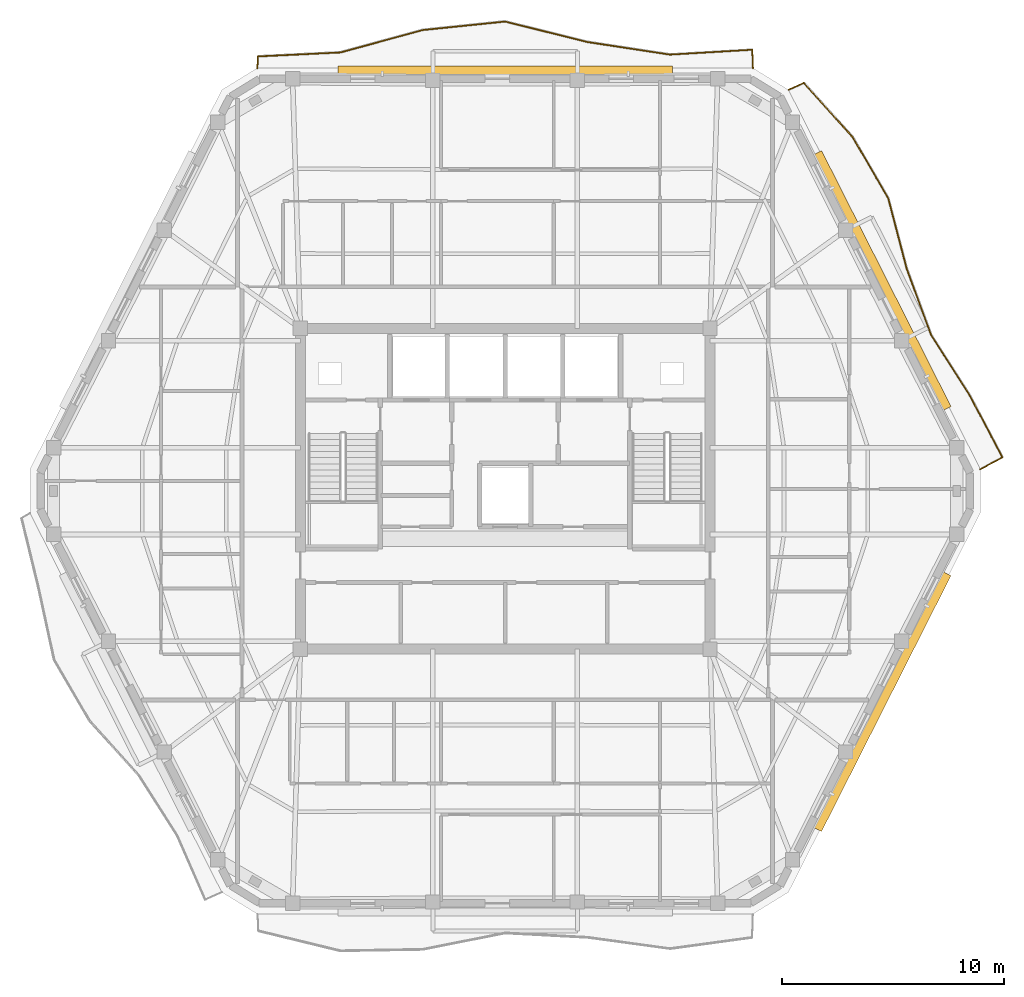
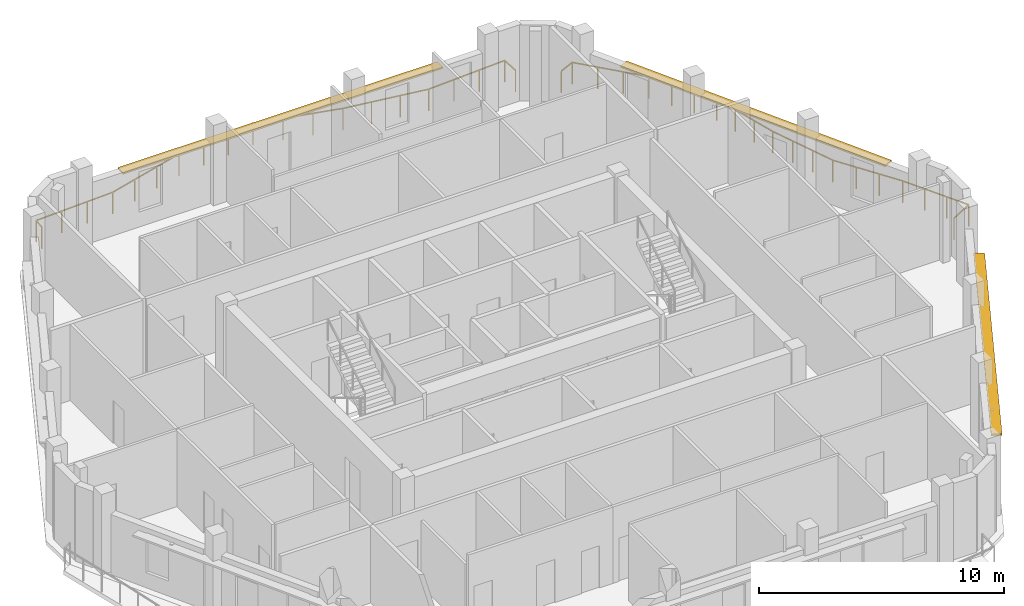
# One storey, part 11 of 11: 3 shading devices, 2 railings.
"""IFC4 building model written with IfcOpenShell, lengths in metres."""

import ifcopenshell
import ifcopenshell.guid

model = None  # the IFC model being written
_history = None  # IfcOwnerHistory: only IFC2X3 demands one
_inside = {}  # id of a spatial element -> (the spatial element, [elements in it])
_under = {}  # id of a project, library or spatial element -> (it, [spatial elements below it])
_declared = {}  # id of a project -> (the project, [libraries it declares])
_typed = {}  # id of a type object -> (the type object, [elements of that type])
_made_of = {}  # id of a material, layer set ... -> (it, [elements and type objects made of it])


def new_model(schema):
    """Start an empty IFC model of exactly this schema.

    Asked for "IFC4X3", IfcOpenShell would pick the latest addendum, in which some entities
    have other attributes; the version numbers below select the first issue.
    IFC2X3 requires an IfcOwnerHistory on every rooted entity: one is made here for all.
    """
    global model, _history
    if schema == "IFC4X3":
        model = ifcopenshell.file(schema_version=(4, 3, 0, 0))
    else:
        model = ifcopenshell.file(schema=schema)
    _inside.clear()
    _under.clear()
    _declared.clear()
    _typed.clear()
    _made_of.clear()
    _history = None
    if model.schema == "IFC2X3":
        org = make("IfcOrganization", Name="unknown")
        user = make(
            "IfcPersonAndOrganization",
            ThePerson=make("IfcPerson", FamilyName="unknown"),
            TheOrganization=org,
        )
        app = make(
            "IfcApplication",
            ApplicationDeveloper=org,
            Version="unknown",
            ApplicationFullName="unknown",
            ApplicationIdentifier="unknown",
        )
        _history = make(
            "IfcOwnerHistory",
            OwningUser=user,
            OwningApplication=app,
            ChangeAction="ADDED",
            CreationDate=0,
        )
    return model


def make(cls, **values):
    """One entity of the class cls with the attributes given. An attribute that is None is left unset."""
    return model.create_entity(
        cls, **{name: value for name, value in values.items() if value is not None}
    )


def rooted(cls, **values):
    """An entity with a GlobalId (a new one), such as an element, a storey or a relation."""
    return make(cls, GlobalId=ifcopenshell.guid.new(), OwnerHistory=_history, **values)


def si_unit(unit_type, name, prefix=None):
    """IfcSIUnit, for example si_unit("LENGTHUNIT", "METRE", prefix="MILLI")."""
    return make("IfcSIUnit", UnitType=unit_type, Prefix=prefix, Name=name)


def assignment(units):
    """IfcUnitAssignment: the units of a project."""
    return None if units is None else make("IfcUnitAssignment", Units=units)


def point(xyz):
    """IfcCartesianPoint."""
    return None if xyz is None else make("IfcCartesianPoint", Coordinates=xyz)


def direction(xyz):
    """IfcDirection."""
    return None if xyz is None else make("IfcDirection", DirectionRatios=xyz)


def frame(location, z_axis=None, x_axis=None):
    """IfcAxis2Placement3D, a coordinate frame: its origin and axes. An axis left out is left unset."""
    return make(
        "IfcAxis2Placement3D",
        Location=point(location),
        Axis=direction(z_axis),
        RefDirection=direction(x_axis),
    )


def frame_2d(location, x_axis=None):
    """IfcAxis2Placement2D, a coordinate frame in the plane: its origin and x axis."""
    return make(
        "IfcAxis2Placement2D", Location=point(location), RefDirection=direction(x_axis)
    )


def origin():
    """The frame at (0, 0, 0) with its axes left unset."""
    return frame((0.0, 0.0, 0.0))


def origin_2d():
    """The frame at (0, 0) in the plane with its x axis left unset."""
    return frame_2d((0.0, 0.0))


def place(relative_to, where):
    """IfcLocalPlacement: puts the frame where relative to a parent placement (None: the world)."""
    return make(
        "IfcLocalPlacement", PlacementRelTo=relative_to, RelativePlacement=where
    )


def context(
    kind, dimensions, precision=None, world=None, true_north=None, identifier=None
):
    """IfcGeometricRepresentationContext, for example the 3D "Model" context."""
    return make(
        "IfcGeometricRepresentationContext",
        ContextIdentifier=identifier,
        ContextType=kind,
        CoordinateSpaceDimension=dimensions,
        Precision=precision,
        WorldCoordinateSystem=world,
        TrueNorth=true_north,
    )


def subcontext(parent, identifier, kind, view, scale=None):
    """IfcGeometricRepresentationSubContext, for example "Body" below "Model"."""
    return make(
        "IfcGeometricRepresentationSubContext",
        ContextIdentifier=identifier,
        ContextType=kind,
        ParentContext=parent,
        TargetScale=scale,
        TargetView=view,
    )


def project(units=None, contexts=None):
    """IfcProject with its units and contexts."""
    return rooted(
        "IfcProject",
        Name="project",
        RepresentationContexts=contexts,
        UnitsInContext=assignment(units),
    )


def spatial(cls, under=None, at=None, **own):
    """A site, building, storey or space (cls), placed at a placement, below another one or the project."""
    s = rooted(cls, ObjectPlacement=at, **own)
    if under is not None:
        _under.setdefault(under.id(), (under, []))[1].append(s)
    return s


def profile(cls, at=None, kind="AREA", **sizes):
    """A parametric profile (cls). Its sizes go by their IFC names, for example OverallWidth=200.0."""
    return make(cls, ProfileType=kind, Position=at, **sizes)


def rectangle(**sizes):
    """IfcRectangleProfileDef."""
    return profile("IfcRectangleProfileDef", **sizes)


def extrude(swept, where, along, depth):
    """IfcExtrudedAreaSolid: the profile swept, set in the frame where, extruded along a direction by depth."""
    return make(
        "IfcExtrudedAreaSolid",
        SweptArea=swept,
        Position=where,
        ExtrudedDirection=direction(along),
        Depth=depth,
    )


def shape(context_of_items, identifier, shape_type, items):
    """IfcShapeRepresentation: the items that make up one representation, for example the "Body"."""
    return make(
        "IfcShapeRepresentation",
        ContextOfItems=context_of_items,
        RepresentationIdentifier=identifier,
        RepresentationType=shape_type,
        Items=items,
    )


def material(Name=None, Category=None):
    """IfcMaterial."""
    return make("IfcMaterial", Name=Name, Category=Category)


def layer(
    of_material, thickness, ventilated=None, Name=None, Category=None, Priority=None
):
    """IfcMaterialLayer: one layer of a wall or slab, of a material (None: an air gap)."""
    return make(
        "IfcMaterialLayer",
        Material=of_material,
        LayerThickness=thickness,
        IsVentilated=ventilated,
        Name=Name,
        Category=Category,
        Priority=Priority,
    )


def layer_set(layers, Name=None):
    """IfcMaterialLayerSet."""
    return make("IfcMaterialLayerSet", MaterialLayers=layers, LayerSetName=Name)


def made_of(thing, what):
    """Note that an element or type object is made of a material, layer set ...; save() writes the relation."""
    if what is not None:
        _made_of.setdefault(what.id(), (what, []))[1].append(thing)
    return thing


def type_object(cls, material=None, **own):
    """A type object (cls), such as IfcWallType, which elements share."""
    return made_of(rooted(cls, **own), material)


def element(
    cls,
    number,
    at=None,
    inside=None,
    cuts=None,
    type_object=None,
    material=None,
    context=None,
    identifier="Body",
    shape_type=None,
    held_by="IfcProductDefinitionShape",
    body=None,
    shapes=None,
    **own,
):
    """One element of the class cls, such as IfcWall. Its Tag is "e" and its number.

    at: its placement. inside: the storey or other place that contains it. cuts: it is an
    opening in that element (IfcRelVoidsElement). A single representation is given by context,
    identifier, shape_type and body (its items); several are given by shapes. held_by: the class
    of the entity that holds the representations. save() writes the other relations.
    """
    e = rooted(cls, Tag="e%d" % number, ObjectPlacement=at, **own)
    if body is not None:
        shapes = [shape(context, identifier, shape_type, body)]
    if shapes is not None:
        e.Representation = make(held_by, Representations=shapes)
    if inside is not None:
        _inside.setdefault(inside.id(), (inside, []))[1].append(e)
    if cuts is not None:
        rooted(
            "IfcRelVoidsElement", RelatingBuildingElement=cuts, RelatedOpeningElement=e
        )
    if type_object is not None:
        _typed.setdefault(type_object.id(), (type_object, []))[1].append(e)
    return made_of(e, material)


def aggregate(whole, parts):
    """IfcRelAggregates: a whole, such as a stair, and the parts it consists of."""
    return rooted("IfcRelAggregates", RelatingObject=whole, RelatedObjects=parts)


def save(model, path):
    """Write the relations noted so far, then the file.

    IfcRelAggregates (storeys below a building ...), IfcRelContainedInSpatialStructure (elements
    in a storey), IfcRelDefinesByType, IfcRelAssociatesMaterial and IfcRelDeclares: one each for
    every whole, place, type object, material and project.
    """
    for whole, parts in _under.values():
        aggregate(whole, parts)
    for where, things in _inside.values():
        rooted(
            "IfcRelContainedInSpatialStructure",
            RelatedElements=things,
            RelatingStructure=where,
        )
    for kind, things in _typed.values():
        rooted("IfcRelDefinesByType", RelatedObjects=things, RelatingType=kind)
    for what, things in _made_of.values():
        rooted("IfcRelAssociatesMaterial", RelatedObjects=things, RelatingMaterial=what)
    for by, libraries in _declared.values():
        rooted("IfcRelDeclares", RelatingContext=by, RelatedDefinitions=libraries)
    model.write(path)


model = new_model("IFC4")

# Units and contexts
model_context = context("Model", 3, precision=1e-05, world=origin(), true_north=direction((0.0, 1.0)))
body_context = subcontext(model_context, "Body", "Model", "MODEL_VIEW")
ifc_project = project(units=[si_unit("LENGTHUNIT", "METRE"), si_unit("AREAUNIT", "SQUARE_METRE"), si_unit("VOLUMEUNIT", "CUBIC_METRE"), si_unit("PLANEANGLEUNIT", "RADIAN"), si_unit("MASSUNIT", "GRAM", prefix="KILO")], contexts=[model_context])

# Site, building, storey
site_placement = place(None, origin())
site = spatial("IfcSite", under=ifc_project, at=site_placement, CompositionType="ELEMENT")
building_placement = place(site_placement, origin())
building = spatial("IfcBuilding", under=site, at=building_placement, Name="Cinnabar Lancet Tower", CompositionType="ELEMENT")
storey_placement = place(building_placement, frame((0.0, 0.0, 291.5)))
storey = spatial("IfcBuildingStorey", under=building, at=storey_placement, Name="L77", CompositionType="ELEMENT", Elevation=291.5)

# Railings
ifc_material_1 = material(Name="Laminated safety glass and bronze stainless steel balustrade", Category="steel")
railing_type = type_object("IfcRailingType", Name="ENV-RLG-BAL-1100", PredefinedType="BALUSTRADE", material=ifc_material_1)
railing_1_placement = place(storey_placement, frame((53.802978515625, 26.781982421875, 0.0)))
element("IfcRailing", 1, at=railing_1_placement, inside=storey, type_object=railing_type, Name="L77 Face 3 Wave Balcony Balustrade", PredefinedType="BALUSTRADE", context=body_context, shape_type="SweptSolid", body=[
    extrude(rectangle(XDim=0.048095703125, YDim=0.048095703125, at=origin_2d()), frame((0.0, 0.0, 1.076171875), z_axis=(0.881338355054, 0.472485665296, 0.0), x_axis=(-0.472485665296, 0.881338355054, 0.0)), (0.0, 0.0, 1.0), 1.1279296875),
    extrude(rectangle(XDim=0.048095703125, YDim=0.048095703125, at=origin_2d()), frame((0.994140625, 0.532958984375, 1.076171875), z_axis=(-0.467101802488, 0.884203543373, 0.0), x_axis=(-0.884203543373, -0.467101802488, 0.0)), (0.0, 0.0, 1.0), 3.18359375),
    extrude(rectangle(XDim=0.048095703125, YDim=0.048095703125, at=origin_2d()), frame((-0.492919921875, 3.347900390625, 1.076171875), z_axis=(-0.540097565332, 0.841602412023, 0.0), x_axis=(-0.841602412023, -0.540097565332, 0.0)), (0.0, 0.0, 1.0), 3.19775390625),
    extrude(rectangle(XDim=0.048095703125, YDim=0.048095703125, at=origin_2d()), frame((-2.219970703125, 6.0390625, 1.076171875), z_axis=(-0.344227760857, 0.938886174494, 0.0), x_axis=(-0.938886174494, -0.344227760857, 0.0)), (0.0, 0.0, 1.0), 3.201416015625),
    extrude(rectangle(XDim=0.048095703125, YDim=0.048095703125, at=origin_2d()), frame((-3.322021484375, 9.044921875, 1.076171875), z_axis=(-0.253407849779, 0.967359530718, 0.0), x_axis=(-0.967359530718, -0.253407849779, 0.0)), (0.0, 0.0, 1.0), 3.25537109375),
    extrude(rectangle(XDim=0.048095703125, YDim=0.048095703125, at=origin_2d()), frame((-4.14697265625, 12.194091796875, 1.076171875), z_axis=(-0.502612464868, 0.864511833441, 0.0), x_axis=(-0.864511833441, -0.502612464868, 0.0)), (0.0, 0.0, 1.0), 3.185546875),
    extrude(rectangle(XDim=0.048095703125, YDim=0.048095703125, at=origin_2d()), frame((-5.748046875, 14.947998046875, 1.076171875), z_axis=(-0.66947579096, 0.742833874644, 0.0), x_axis=(-0.742833874644, -0.66947579096, 0.0)), (0.0, 0.0, 1.0), 3.298095703125),
    extrude(rectangle(XDim=0.048095703125, YDim=0.048095703125, at=origin_2d()), frame((-7.9560546875, 17.39794921875, 1.076171875), z_axis=(-0.910277705224, -0.413998187643, 0.0), x_axis=(0.413998187643, -0.910277705224, 0.0)), (0.0, 0.0, 1.0), 0.753662109375),
    extrude(rectangle(XDim=0.0419921875, YDim=0.0419921875, at=origin_2d()), origin(), (0.0, 0.0, 1.0), 1.052001953125),
    extrude(rectangle(XDim=0.0419921875, YDim=0.0419921875, at=origin_2d()), frame((0.994140625, 0.532958984375, 0.0)), (0.0, 0.0, 1.0), 1.052001953125),
    extrude(rectangle(XDim=0.0419921875, YDim=0.0419921875, at=origin_2d()), frame((0.49853515625, 1.47119140625, 0.0)), (0.0, 0.0, 1.0), 1.052001953125),
    extrude(rectangle(XDim=0.0419921875, YDim=0.0419921875, at=origin_2d()), frame((0.002685546875, 2.40966796875, 0.0)), (0.0, 0.0, 1.0), 1.052001953125),
    extrude(rectangle(XDim=0.0419921875, YDim=0.0419921875, at=origin_2d()), frame((-0.492919921875, 3.347900390625, 0.0)), (0.0, 0.0, 1.0), 1.052001953125),
    extrude(rectangle(XDim=0.0419921875, YDim=0.0419921875, at=origin_2d()), frame((-1.068603515625, 4.244873046875, 0.0)), (0.0, 0.0, 1.0), 1.052001953125),
    extrude(rectangle(XDim=0.0419921875, YDim=0.0419921875, at=origin_2d()), frame((-1.644287109375, 5.14208984375, 0.0)), (0.0, 0.0, 1.0), 1.052001953125),
    extrude(rectangle(XDim=0.0419921875, YDim=0.0419921875, at=origin_2d()), frame((-2.219970703125, 6.0390625, 0.0)), (0.0, 0.0, 1.0), 1.052001953125),
    extrude(rectangle(XDim=0.0419921875, YDim=0.0419921875, at=origin_2d()), frame((-2.58740234375, 7.041015625, 0.0)), (0.0, 0.0, 1.0), 1.052001953125),
    extrude(rectangle(XDim=0.0419921875, YDim=0.0419921875, at=origin_2d()), frame((-2.95458984375, 8.04296875, 0.0)), (0.0, 0.0, 1.0), 1.052001953125),
    extrude(rectangle(XDim=0.0419921875, YDim=0.0419921875, at=origin_2d()), frame((-3.322021484375, 9.044921875, 0.0)), (0.0, 0.0, 1.0), 1.052001953125),
    extrude(rectangle(XDim=0.0419921875, YDim=0.0419921875, at=origin_2d()), frame((-3.596923828125, 10.0947265625, 0.0)), (0.0, 0.0, 1.0), 1.052001953125),
    extrude(rectangle(XDim=0.0419921875, YDim=0.0419921875, at=origin_2d()), frame((-3.8720703125, 11.144287109375, 0.0)), (0.0, 0.0, 1.0), 1.052001953125),
    extrude(rectangle(XDim=0.0419921875, YDim=0.0419921875, at=origin_2d()), frame((-4.14697265625, 12.194091796875, 0.0)), (0.0, 0.0, 1.0), 1.052001953125),
    extrude(rectangle(XDim=0.0419921875, YDim=0.0419921875, at=origin_2d()), frame((-4.6806640625, 13.112060546875, 0.0)), (0.0, 0.0, 1.0), 1.052001953125),
    extrude(rectangle(XDim=0.0419921875, YDim=0.0419921875, at=origin_2d()), frame((-5.21435546875, 14.030029296875, 0.0)), (0.0, 0.0, 1.0), 1.052001953125),
    extrude(rectangle(XDim=0.0419921875, YDim=0.0419921875, at=origin_2d()), frame((-5.748046875, 14.947998046875, 0.0)), (0.0, 0.0, 1.0), 1.052001953125),
    extrude(rectangle(XDim=0.0419921875, YDim=0.0419921875, at=origin_2d()), frame((-6.484130859375, 15.7646484375, 0.0)), (0.0, 0.0, 1.0), 1.052001953125),
    extrude(rectangle(XDim=0.0419921875, YDim=0.0419921875, at=origin_2d()), frame((-7.219970703125, 16.581298828125, 0.0)), (0.0, 0.0, 1.0), 1.052001953125),
    extrude(rectangle(XDim=0.0419921875, YDim=0.0419921875, at=origin_2d()), frame((-7.9560546875, 17.39794921875, 0.0)), (0.0, 0.0, 1.0), 1.052001953125),
    extrude(rectangle(XDim=0.0419921875, YDim=0.0419921875, at=origin_2d()), frame((-8.64208984375, 17.0859375, 0.0)), (0.0, 0.0, 1.0), 1.052001953125),
])
railing_2_placement = place(storey_placement, frame((43.56396484375, 44.85009765625, 0.0)))
element("IfcRailing", 2, at=railing_2_placement, inside=storey, type_object=railing_type, Name="L77 Face 4 Wave Balcony Balustrade", PredefinedType="BALUSTRADE", context=body_context, shape_type="SweptSolid", body=[
    extrude(rectangle(XDim=0.048095703125, YDim=0.048095703125, at=origin_2d()), frame((0.0, 0.0, 1.076171875), z_axis=(-0.041101669352, 0.99915496935, 0.0), x_axis=(-0.99915496935, -0.041101669352, 0.0)), (0.0, 0.0, 1.0), 0.82568359375),
    extrude(rectangle(XDim=0.048095703125, YDim=0.048095703125, at=origin_2d()), frame((-0.033935546875, 0.824951171875, 1.076171875), z_axis=(-0.99826416984, -0.058895222333, 0.0), x_axis=(0.058895222333, -0.99826416984, 0.0)), (0.0, 0.0, 1.0), 3.71826171875),
    extrude(rectangle(XDim=0.048095703125, YDim=0.048095703125, at=origin_2d()), frame((-3.745849609375, 0.60595703125, 1.076171875), z_axis=(-0.988605161684, 0.150531838135, 0.0), x_axis=(-0.150531838135, -0.988605161684, 0.0)), (0.0, 0.0, 1.0), 3.7529296875),
    extrude(rectangle(XDim=0.048095703125, YDim=0.048095703125, at=origin_2d()), frame((-7.4560546875, 1.1708984375, 1.076171875), z_axis=(-0.970382555377, 0.241573376473, 0.0), x_axis=(-0.241573376473, -0.970382555377, 0.0)), (0.0, 0.0, 1.0), 3.8212890625),
    extrude(rectangle(XDim=0.048095703125, YDim=0.048095703125, at=origin_2d()), frame((-11.1640625, 2.093994140625, 1.076171875), z_axis=(-0.994709111559, -0.102731608481, 0.0), x_axis=(0.102731608481, -0.994709111559, 0.0)), (0.0, 0.0, 1.0), 3.728759765625),
    extrude(rectangle(XDim=0.048095703125, YDim=0.048095703125, at=origin_2d()), frame((-14.873046875, 1.7109375, 1.076171875), z_axis=(-0.964929259278, -0.262510046643, 0.0), x_axis=(0.262510046643, -0.964929259278, 0.0)), (0.0, 0.0, 1.0), 3.84375),
    extrude(rectangle(XDim=0.048095703125, YDim=0.048095703125, at=origin_2d()), frame((-18.58203125, 0.701904296875, 1.076171875), z_axis=(-0.998851874278, -0.047905461602, 0.0), x_axis=(0.047905461602, -0.998851874278, 0.0)), (0.0, 0.0, 1.0), 3.715087890625),
    extrude(rectangle(XDim=0.048095703125, YDim=0.048095703125, at=origin_2d()), frame((-22.29296875, 0.52392578125, 1.076171875), z_axis=(-0.066488150839, -0.99778721469, 0.0), x_axis=(0.99778721469, -0.066488150839, 0.0)), (0.0, 0.0, 1.0), 0.525146484375),
    extrude(rectangle(XDim=0.0419921875, YDim=0.0419921875, at=origin_2d()), origin(), (0.0, 0.0, 1.0), 1.052001953125),
    extrude(rectangle(XDim=0.0419921875, YDim=0.0419921875, at=origin_2d()), frame((-0.033935546875, 0.824951171875, 0.0)), (0.0, 0.0, 1.0), 1.052001953125),
    extrude(rectangle(XDim=0.0419921875, YDim=0.0419921875, at=origin_2d()), frame((-1.271240234375, 0.751953125, 0.0)), (0.0, 0.0, 1.0), 1.052001953125),
    extrude(rectangle(XDim=0.0419921875, YDim=0.0419921875, at=origin_2d()), frame((-2.508544921875, 0.678955078125, 0.0)), (0.0, 0.0, 1.0), 1.052001953125),
    extrude(rectangle(XDim=0.0419921875, YDim=0.0419921875, at=origin_2d()), frame((-3.745849609375, 0.60595703125, 0.0)), (0.0, 0.0, 1.0), 1.052001953125),
    extrude(rectangle(XDim=0.0419921875, YDim=0.0419921875, at=origin_2d()), frame((-4.982666015625, 0.794189453125, 0.0)), (0.0, 0.0, 1.0), 1.052001953125),
    extrude(rectangle(XDim=0.0419921875, YDim=0.0419921875, at=origin_2d()), frame((-6.21923828125, 0.982666015625, 0.0)), (0.0, 0.0, 1.0), 1.052001953125),
    extrude(rectangle(XDim=0.0419921875, YDim=0.0419921875, at=origin_2d()), frame((-7.4560546875, 1.1708984375, 0.0)), (0.0, 0.0, 1.0), 1.052001953125),
    extrude(rectangle(XDim=0.0419921875, YDim=0.0419921875, at=origin_2d()), frame((-8.692138671875, 1.478515625, 0.0)), (0.0, 0.0, 1.0), 1.052001953125),
    extrude(rectangle(XDim=0.0419921875, YDim=0.0419921875, at=origin_2d()), frame((-9.927978515625, 1.786376953125, 0.0)), (0.0, 0.0, 1.0), 1.052001953125),
    extrude(rectangle(XDim=0.0419921875, YDim=0.0419921875, at=origin_2d()), frame((-11.1640625, 2.093994140625, 0.0)), (0.0, 0.0, 1.0), 1.052001953125),
    extrude(rectangle(XDim=0.0419921875, YDim=0.0419921875, at=origin_2d()), frame((-12.400390625, 1.96630859375, 0.0)), (0.0, 0.0, 1.0), 1.052001953125),
    extrude(rectangle(XDim=0.0419921875, YDim=0.0419921875, at=origin_2d()), frame((-13.63671875, 1.838623046875, 0.0)), (0.0, 0.0, 1.0), 1.052001953125),
    extrude(rectangle(XDim=0.0419921875, YDim=0.0419921875, at=origin_2d()), frame((-14.873046875, 1.7109375, 0.0)), (0.0, 0.0, 1.0), 1.052001953125),
    extrude(rectangle(XDim=0.0419921875, YDim=0.0419921875, at=origin_2d()), frame((-16.109375, 1.37451171875, 0.0)), (0.0, 0.0, 1.0), 1.052001953125),
    extrude(rectangle(XDim=0.0419921875, YDim=0.0419921875, at=origin_2d()), frame((-17.345703125, 1.038330078125, 0.0)), (0.0, 0.0, 1.0), 1.052001953125),
    extrude(rectangle(XDim=0.0419921875, YDim=0.0419921875, at=origin_2d()), frame((-18.58203125, 0.701904296875, 0.0)), (0.0, 0.0, 1.0), 1.052001953125),
    extrude(rectangle(XDim=0.0419921875, YDim=0.0419921875, at=origin_2d()), frame((-19.819091796875, 0.642578125, 0.0)), (0.0, 0.0, 1.0), 1.052001953125),
    extrude(rectangle(XDim=0.0419921875, YDim=0.0419921875, at=origin_2d()), frame((-21.055908203125, 0.583251953125, 0.0)), (0.0, 0.0, 1.0), 1.052001953125),
    extrude(rectangle(XDim=0.0419921875, YDim=0.0419921875, at=origin_2d()), frame((-22.29296875, 0.52392578125, 0.0)), (0.0, 0.0, 1.0), 1.052001953125),
    extrude(rectangle(XDim=0.0419921875, YDim=0.0419921875, at=origin_2d()), frame((-22.327880859375, 0.0, 0.0)), (0.0, 0.0, 1.0), 1.052001953125),
])

# Shading devices
ifc_material_2 = material(Name="Pale limestone architectural aluminium sunshade", Category="masonry")
ifc_layer = layer(ifc_material_2, 0.080078125)
ifc_layer_set = layer_set([ifc_layer], Name="Pale limestone architectural aluminium sunshade")
shading_device_type = type_object("IfcShadingDeviceType", Name="ENV-SHD-LVR-450", PredefinedType="JALOUSIE", material=ifc_layer_set)
for number, where, z_axis, x_axis, name in (
    (3, (49.364013671875, 16.330078125, 2.639892578125), (0.0, 0.0, 1.0), (0.451375984307, 0.89233386173, 0.0), "L77 Face 2 Horizontal Sunshade Canopy"),
    (4, (49.364013671875, 35.27001953125, 2.639892578125), (0.0, 0.0, 1.0), (-0.451375984307, 0.89233386173, 0.0), "L77 Face 3 Horizontal Sunshade Canopy"),
):
    element("IfcShadingDevice", number, at=place(storey_placement, frame(where, z_axis=z_axis, x_axis=x_axis)), inside=storey, type_object=shading_device_type, Name=name, PredefinedType="JALOUSIE", context=body_context, shape_type="SweptSolid", body=[
        extrude(rectangle(XDim=12.912109375, YDim=0.449951171875, at=origin_2d()), origin(), (0.0, 0.0, 1.0), 0.080078125),
    ])
shading_device_placement = place(storey_placement, frame((32.39990234375, 44.719970703125, 2.639892578125), z_axis=(0.0, 0.0, 1.0), x_axis=(-1.0, 0.0, 0.0)))
element("IfcShadingDevice", 5, at=shading_device_placement, inside=storey, type_object=shading_device_type, Name="L77 Face 4 Horizontal Sunshade Canopy", PredefinedType="JALOUSIE", context=body_context, shape_type="SweptSolid", body=[
    extrude(rectangle(XDim=15.06103515625, YDim=0.449951171875, at=origin_2d()), origin(), (0.0, 0.0, 1.0), 0.080078125),
])

save(model, "model.ifc")
